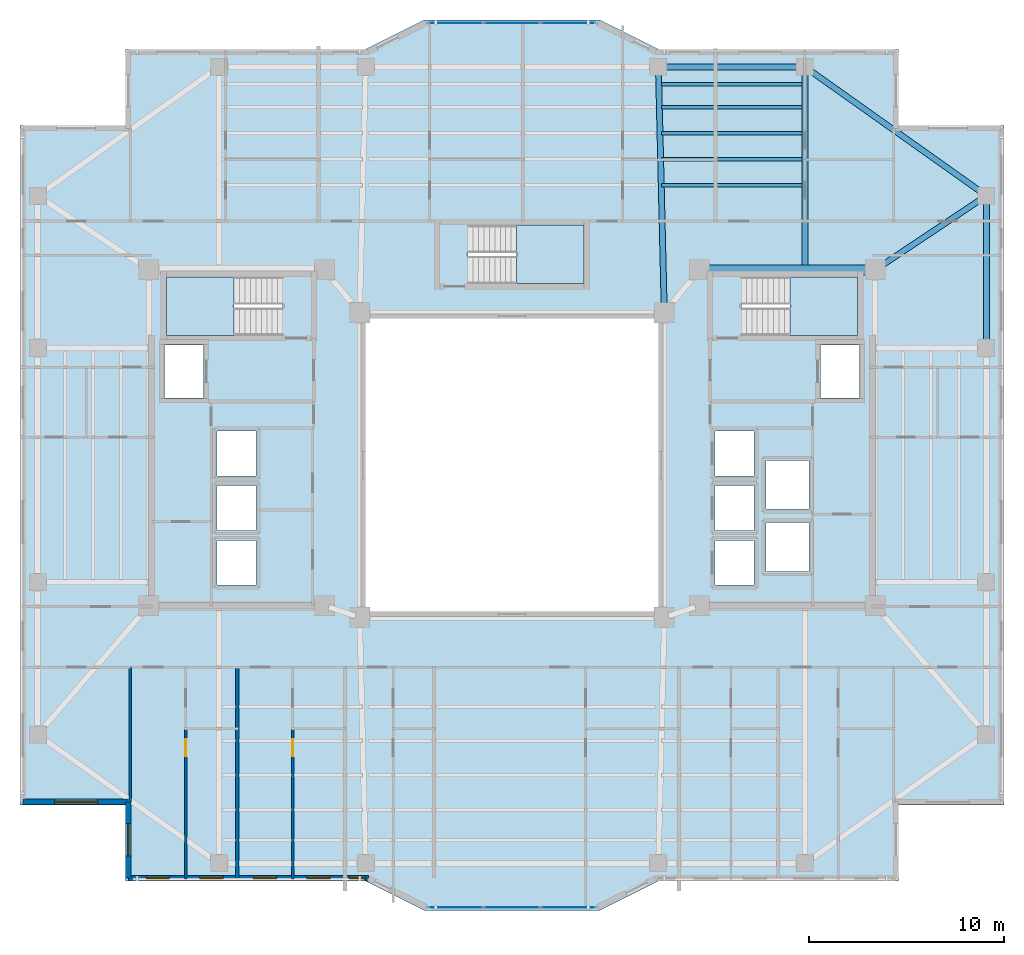
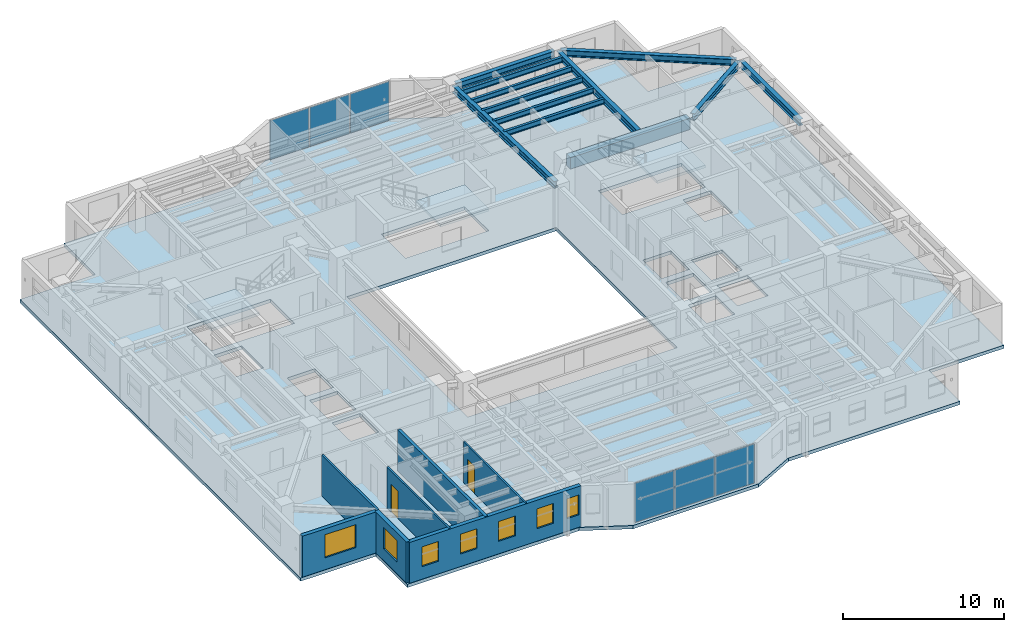
# One storey, part 5 of 16: 12 beams, 7 walls, 7 windows, 6 plates, 4 slabs, 2 doors, 9 openings, 5 elements without a shape of their own.
"""IFC4 building model written with IfcOpenShell, lengths in metres."""

import ifcopenshell
import ifcopenshell.guid

model = None  # the IFC model being written
_history = None  # IfcOwnerHistory: only IFC2X3 demands one
_inside = {}  # id of a spatial element -> (the spatial element, [elements in it])
_under = {}  # id of a project, library or spatial element -> (it, [spatial elements below it])
_declared = {}  # id of a project -> (the project, [libraries it declares])
_typed = {}  # id of a type object -> (the type object, [elements of that type])
_made_of = {}  # id of a material, layer set ... -> (it, [elements and type objects made of it])


def new_model(schema):
    """Start an empty IFC model of exactly this schema.

    Asked for "IFC4X3", IfcOpenShell would pick the latest addendum, in which some entities
    have other attributes; the version numbers below select the first issue.
    IFC2X3 requires an IfcOwnerHistory on every rooted entity: one is made here for all.
    """
    global model, _history
    if schema == "IFC4X3":
        model = ifcopenshell.file(schema_version=(4, 3, 0, 0))
    else:
        model = ifcopenshell.file(schema=schema)
    _inside.clear()
    _under.clear()
    _declared.clear()
    _typed.clear()
    _made_of.clear()
    _history = None
    if model.schema == "IFC2X3":
        org = make("IfcOrganization", Name="unknown")
        user = make(
            "IfcPersonAndOrganization",
            ThePerson=make("IfcPerson", FamilyName="unknown"),
            TheOrganization=org,
        )
        app = make(
            "IfcApplication",
            ApplicationDeveloper=org,
            Version="unknown",
            ApplicationFullName="unknown",
            ApplicationIdentifier="unknown",
        )
        _history = make(
            "IfcOwnerHistory",
            OwningUser=user,
            OwningApplication=app,
            ChangeAction="ADDED",
            CreationDate=0,
        )
    return model


def make(cls, **values):
    """One entity of the class cls with the attributes given. An attribute that is None is left unset."""
    return model.create_entity(
        cls, **{name: value for name, value in values.items() if value is not None}
    )


def rooted(cls, **values):
    """An entity with a GlobalId (a new one), such as an element, a storey or a relation."""
    return make(cls, GlobalId=ifcopenshell.guid.new(), OwnerHistory=_history, **values)


def si_unit(unit_type, name, prefix=None):
    """IfcSIUnit, for example si_unit("LENGTHUNIT", "METRE", prefix="MILLI")."""
    return make("IfcSIUnit", UnitType=unit_type, Prefix=prefix, Name=name)


def assignment(units):
    """IfcUnitAssignment: the units of a project."""
    return None if units is None else make("IfcUnitAssignment", Units=units)


def point(xyz):
    """IfcCartesianPoint."""
    return None if xyz is None else make("IfcCartesianPoint", Coordinates=xyz)


def direction(xyz):
    """IfcDirection."""
    return None if xyz is None else make("IfcDirection", DirectionRatios=xyz)


def frame(location, z_axis=None, x_axis=None):
    """IfcAxis2Placement3D, a coordinate frame: its origin and axes. An axis left out is left unset."""
    return make(
        "IfcAxis2Placement3D",
        Location=point(location),
        Axis=direction(z_axis),
        RefDirection=direction(x_axis),
    )


def frame_2d(location, x_axis=None):
    """IfcAxis2Placement2D, a coordinate frame in the plane: its origin and x axis."""
    return make(
        "IfcAxis2Placement2D", Location=point(location), RefDirection=direction(x_axis)
    )


def origin():
    """The frame at (0, 0, 0) with its axes left unset."""
    return frame((0.0, 0.0, 0.0))


def origin_2d():
    """The frame at (0, 0) in the plane with its x axis left unset."""
    return frame_2d((0.0, 0.0))


def place(relative_to, where):
    """IfcLocalPlacement: puts the frame where relative to a parent placement (None: the world)."""
    return make(
        "IfcLocalPlacement", PlacementRelTo=relative_to, RelativePlacement=where
    )


def context(
    kind, dimensions, precision=None, world=None, true_north=None, identifier=None
):
    """IfcGeometricRepresentationContext, for example the 3D "Model" context."""
    return make(
        "IfcGeometricRepresentationContext",
        ContextIdentifier=identifier,
        ContextType=kind,
        CoordinateSpaceDimension=dimensions,
        Precision=precision,
        WorldCoordinateSystem=world,
        TrueNorth=true_north,
    )


def subcontext(parent, identifier, kind, view, scale=None):
    """IfcGeometricRepresentationSubContext, for example "Body" below "Model"."""
    return make(
        "IfcGeometricRepresentationSubContext",
        ContextIdentifier=identifier,
        ContextType=kind,
        ParentContext=parent,
        TargetScale=scale,
        TargetView=view,
    )


def project(units=None, contexts=None):
    """IfcProject with its units and contexts."""
    return rooted(
        "IfcProject",
        Name="project",
        RepresentationContexts=contexts,
        UnitsInContext=assignment(units),
    )


def spatial(cls, under=None, at=None, **own):
    """A site, building, storey or space (cls), placed at a placement, below another one or the project."""
    s = rooted(cls, ObjectPlacement=at, **own)
    if under is not None:
        _under.setdefault(under.id(), (under, []))[1].append(s)
    return s


def polyline(points):
    """IfcPolyline through the points."""
    return make("IfcPolyline", Points=[point(p) for p in points])


def profile(cls, at=None, kind="AREA", **sizes):
    """A parametric profile (cls). Its sizes go by their IFC names, for example OverallWidth=200.0."""
    return make(cls, ProfileType=kind, Position=at, **sizes)


def rectangle(**sizes):
    """IfcRectangleProfileDef."""
    return profile("IfcRectangleProfileDef", **sizes)


def i_section(**sizes):
    """IfcIShapeProfileDef."""
    return profile("IfcIShapeProfileDef", **sizes)


def outline(outer, holes=None, kind="AREA"):
    """IfcArbitraryClosedProfileDef: a profile drawn as a closed curve; with holes, ...WithVoids."""
    if holes is None:
        return make("IfcArbitraryClosedProfileDef", ProfileType=kind, OuterCurve=outer)
    return make(
        "IfcArbitraryProfileDefWithVoids",
        ProfileType=kind,
        OuterCurve=outer,
        InnerCurves=holes,
    )


def extrude(swept, where, along, depth):
    """IfcExtrudedAreaSolid: the profile swept, set in the frame where, extruded along a direction by depth."""
    return make(
        "IfcExtrudedAreaSolid",
        SweptArea=swept,
        Position=where,
        ExtrudedDirection=direction(along),
        Depth=depth,
    )


def shape(context_of_items, identifier, shape_type, items):
    """IfcShapeRepresentation: the items that make up one representation, for example the "Body"."""
    return make(
        "IfcShapeRepresentation",
        ContextOfItems=context_of_items,
        RepresentationIdentifier=identifier,
        RepresentationType=shape_type,
        Items=items,
    )


def material(Name=None, Category=None):
    """IfcMaterial."""
    return make("IfcMaterial", Name=Name, Category=Category)


def layer(
    of_material, thickness, ventilated=None, Name=None, Category=None, Priority=None
):
    """IfcMaterialLayer: one layer of a wall or slab, of a material (None: an air gap)."""
    return make(
        "IfcMaterialLayer",
        Material=of_material,
        LayerThickness=thickness,
        IsVentilated=ventilated,
        Name=Name,
        Category=Category,
        Priority=Priority,
    )


def layer_set(layers, Name=None):
    """IfcMaterialLayerSet."""
    return make("IfcMaterialLayerSet", MaterialLayers=layers, LayerSetName=Name)


def material_profile(
    of_material, cross_section, Name=None, Category=None, Priority=None
):
    """IfcMaterialProfile: a cross section and its material."""
    return make(
        "IfcMaterialProfile",
        Name=Name,
        Material=of_material,
        Profile=cross_section,
        Priority=Priority,
        Category=Category,
    )


def profile_set(profiles, Name=None, composite=None):
    """IfcMaterialProfileSet."""
    return make(
        "IfcMaterialProfileSet",
        Name=Name,
        MaterialProfiles=profiles,
        CompositeProfile=composite,
    )


def made_of(thing, what):
    """Note that an element or type object is made of a material, layer set ...; save() writes the relation."""
    if what is not None:
        _made_of.setdefault(what.id(), (what, []))[1].append(thing)
    return thing


def type_object(cls, material=None, **own):
    """A type object (cls), such as IfcWallType, which elements share."""
    return made_of(rooted(cls, **own), material)


def element(
    cls,
    number,
    at=None,
    inside=None,
    cuts=None,
    type_object=None,
    material=None,
    context=None,
    identifier="Body",
    shape_type=None,
    held_by="IfcProductDefinitionShape",
    body=None,
    shapes=None,
    **own,
):
    """One element of the class cls, such as IfcWall. Its Tag is "e" and its number.

    at: its placement. inside: the storey or other place that contains it. cuts: it is an
    opening in that element (IfcRelVoidsElement). A single representation is given by context,
    identifier, shape_type and body (its items); several are given by shapes. held_by: the class
    of the entity that holds the representations. save() writes the other relations.
    """
    e = rooted(cls, Tag="e%d" % number, ObjectPlacement=at, **own)
    if body is not None:
        shapes = [shape(context, identifier, shape_type, body)]
    if shapes is not None:
        e.Representation = make(held_by, Representations=shapes)
    if inside is not None:
        _inside.setdefault(inside.id(), (inside, []))[1].append(e)
    if cuts is not None:
        rooted(
            "IfcRelVoidsElement", RelatingBuildingElement=cuts, RelatedOpeningElement=e
        )
    if type_object is not None:
        _typed.setdefault(type_object.id(), (type_object, []))[1].append(e)
    return made_of(e, material)


def fill(opening, filler):
    """IfcRelFillsElement: the door or window that sits in an opening."""
    return rooted(
        "IfcRelFillsElement",
        RelatingOpeningElement=opening,
        RelatedBuildingElement=filler,
    )


def aggregate(whole, parts):
    """IfcRelAggregates: a whole, such as a stair, and the parts it consists of."""
    return rooted("IfcRelAggregates", RelatingObject=whole, RelatedObjects=parts)


def save(model, path):
    """Write the relations noted so far, then the file.

    IfcRelAggregates (storeys below a building ...), IfcRelContainedInSpatialStructure (elements
    in a storey), IfcRelDefinesByType, IfcRelAssociatesMaterial and IfcRelDeclares: one each for
    every whole, place, type object, material and project.
    """
    for whole, parts in _under.values():
        aggregate(whole, parts)
    for where, things in _inside.values():
        rooted(
            "IfcRelContainedInSpatialStructure",
            RelatedElements=things,
            RelatingStructure=where,
        )
    for kind, things in _typed.values():
        rooted("IfcRelDefinesByType", RelatedObjects=things, RelatingType=kind)
    for what, things in _made_of.values():
        rooted("IfcRelAssociatesMaterial", RelatedObjects=things, RelatingMaterial=what)
    for by, libraries in _declared.values():
        rooted("IfcRelDeclares", RelatingContext=by, RelatedDefinitions=libraries)
    model.write(path)


model = new_model("IFC4")

# Units and contexts
model_context = context("Model", 3, precision=1e-05, world=origin(), true_north=direction((0.0, 1.0)))
body_context = subcontext(model_context, "Body", "Model", "MODEL_VIEW")
ifc_project = project(units=[si_unit("LENGTHUNIT", "METRE"), si_unit("AREAUNIT", "SQUARE_METRE"), si_unit("VOLUMEUNIT", "CUBIC_METRE"), si_unit("PLANEANGLEUNIT", "RADIAN"), si_unit("MASSUNIT", "GRAM", prefix="KILO")], contexts=[model_context])

# Site, building, storey
site_placement = place(None, origin())
site = spatial("IfcSite", under=ifc_project, at=site_placement, CompositionType="ELEMENT")
building_placement = place(site_placement, origin())
building = spatial("IfcBuilding", under=site, at=building_placement, Name="Tarnavaz Court Tower", CompositionType="ELEMENT")
storey_placement = place(building_placement, frame((0.0, 0.0, 166.10009765625)))
storey = spatial("IfcBuildingStorey", under=building, at=storey_placement, Name="L45", CompositionType="ELEMENT", Elevation=166.10009765625)

# Beams
ifc_material_1 = material(Name="Concrete C50/60", Category="concrete")
ifc_material_profile_1 = material_profile(ifc_material_1, rectangle(XDim=0.5, YDim=0.85009765625, at=origin_2d()), Name="RC 500X850")
ifc_profile_set_1 = profile_set([ifc_material_profile_1], Name="Concrete C50/60")
beam_type_1 = type_object("IfcBeamType", Name="BM-CB850", PredefinedType="LINTEL", material=ifc_profile_set_1)
beam_1_placement = place(storey_placement, frame((18.3798828125, 10.0, 2.6748046875), z_axis=(-1.0, 0.0, 0.0), x_axis=(0.0, -1.0, 0.0)))
element("IfcBeam", 1, at=beam_1_placement, inside=storey, type_object=beam_type_1, Name="L45 Beam IN-CE-NO-CE-NI", PredefinedType="LINTEL", context=body_context, shape_type="SweptSolid", body=[
    extrude(rectangle(XDim=0.5, YDim=0.85009765625, at=origin_2d()), origin(), (0.0, 0.0, 1.0), 8.559814453125),
])
ifc_material_2 = material(Name="Steel S355", Category="steel")
ifc_material_profile_2 = material_profile(ifc_material_2, i_section(OverallWidth=0.300048828125, OverallDepth=0.5, WebThickness=0.014404296875, FlangeThickness=0.028076171875, FilletRadius=0.027099609375, at=origin_2d()), Name="HEB 500")
ifc_profile_set_2 = profile_set([ifc_material_profile_2], Name="Steel S355")
beam_type_2 = type_object("IfcBeamType", Name="BM-G-HEB500", PredefinedType="USERDEFINED", material=ifc_profile_set_2)
beam_2_placement = place(storey_placement, frame((7.794921875, 8.02001953125, 2.849853515625), z_axis=(-0.023824748444, 0.999716150395, 0.0), x_axis=(-0.999716150395, -0.023824748444, 0.0)))
element("IfcBeam", 2, at=beam_2_placement, inside=storey, type_object=beam_type_2, Name="L45 Beam RG-03", ObjectType="GIRDER", PredefinedType="USERDEFINED", context=body_context, shape_type="SweptSolid", body=[
    extrude(i_section(OverallWidth=0.300048828125, OverallDepth=0.5, WebThickness=0.014404296875, FlangeThickness=0.028076171875, FilletRadius=0.027099609375, at=origin_2d()), origin(), (0.0, 0.0, 1.0), 12.16357421875),
])
beam_3_placement = place(storey_placement, frame((15.0, 10.0400390625, 2.849853515625), z_axis=(0.0, 1.0, 0.0), x_axis=(-1.0, 0.0, 0.0)))
element("IfcBeam", 3, at=beam_3_placement, inside=storey, type_object=beam_type_2, Name="L45 Beam RG-04", ObjectType="GIRDER", PredefinedType="USERDEFINED", context=body_context, shape_type="SweptSolid", body=[
    extrude(i_section(OverallWidth=0.300048828125, OverallDepth=0.5, WebThickness=0.014404296875, FlangeThickness=0.028076171875, FilletRadius=0.027099609375, at=origin_2d()), origin(), (0.0, 0.0, 1.0), 10.139892578125),
])
beam_4_placement = place(storey_placement, frame((18.783203125, 10.1220703125, 2.849853515625), z_axis=(0.832044435051, 0.554708985056, 0.0), x_axis=(-0.554708985056, 0.832044435051, 0.0)))
element("IfcBeam", 4, at=beam_4_placement, inside=storey, type_object=beam_type_2, Name="L45 Beam RG-12", ObjectType="GIRDER", PredefinedType="USERDEFINED", context=body_context, shape_type="SweptSolid", body=[
    extrude(i_section(OverallWidth=0.300048828125, OverallDepth=0.5, WebThickness=0.014404296875, FlangeThickness=0.028076171875, FilletRadius=0.027099609375, at=origin_2d()), origin(), (0.0, 0.0, 1.0), 6.410400390625),
])
ifc_material_profile_3 = material_profile(ifc_material_2, i_section(OverallWidth=0.179931640625, OverallDepth=0.39990234375, WebThickness=0.008544921875, FlangeThickness=0.013427734375, FilletRadius=0.02099609375, at=origin_2d()), Name="IPE 400")
ifc_profile_set_3 = profile_set([ifc_material_profile_3], Name="Steel S355")
beam_type_3 = type_object("IfcBeamType", Name="BM-J-IPE400", PredefinedType="JOIST", material=ifc_profile_set_3)
for number, where, z_axis, x_axis, name in (
    (5, (7.64990234375, 14.33203125, 2.89990234375), (1.0, 0.0, 0.0), (0.0, 1.0, 0.0), "L45 Beam JN1-3"),
    (6, (7.64990234375, 15.6640625, 2.89990234375), (1.0, 0.0, 0.0), (0.0, 1.0, 0.0), "L45 Beam JN2-3"),
    (7, (7.64990234375, 16.99609375, 2.89990234375), (1.0, 0.0, 0.0), (0.0, 1.0, 0.0), "L45 Beam JN3-3"),
    (8, (7.64990234375, 18.327880859375, 2.89990234375), (1.0, 0.0, 0.0), (0.0, 1.0, 0.0), "L45 Beam JN4-3"),
    (9, (7.64990234375, 19.511962890625, 2.89990234375), (1.0, 0.0, 0.0), (0.0, 1.0, 0.0), "L45 Beam JN5-3"),
):
    element("IfcBeam", number, at=place(storey_placement, frame(where, z_axis=z_axis, x_axis=x_axis)), inside=storey, type_object=beam_type_3, Name=name, PredefinedType="JOIST", context=body_context, shape_type="SweptSolid", body=[
        extrude(i_section(OverallWidth=0.179931640625, OverallDepth=0.39990234375, WebThickness=0.008544921875, FlangeThickness=0.013427734375, FilletRadius=0.02099609375, at=origin_2d()), origin(), (0.0, 0.0, 1.0), 7.2001953125),
    ])
ifc_material_profile_4 = material_profile(ifc_material_2, i_section(OverallWidth=0.300048828125, OverallDepth=0.489990234375, WebThickness=0.011962890625, FlangeThickness=0.02294921875, FilletRadius=0.027099609375, at=origin_2d()), Name="HEA 500")
ifc_profile_set_4 = profile_set([ifc_material_profile_4], Name="Steel S355")
beam_type_4 = type_object("IfcBeamType", Name="BM-SP-HEA500", PredefinedType="SPANDREL", material=ifc_profile_set_4)
beam_5_placement = place(storey_placement, frame((7.719970703125, 20.39990234375, 2.85498046875), z_axis=(1.0, 0.0, 0.0), x_axis=(0.0, 1.0, 0.0)))
element("IfcBeam", 10, at=beam_5_placement, inside=storey, type_object=beam_type_4, Name="L45 Beam PR-PN-3-PN-4", PredefinedType="SPANDREL", context=body_context, shape_type="SweptSolid", body=[
    extrude(i_section(OverallWidth=0.300048828125, OverallDepth=0.489990234375, WebThickness=0.011962890625, FlangeThickness=0.02294921875, FilletRadius=0.027099609375, at=origin_2d()), origin(), (0.0, 0.0, 1.0), 7.06005859375),
])
beam_6_placement = place(storey_placement, frame((24.300048828125, 6.219970703125, 2.85498046875), z_axis=(0.0, 1.0, 0.0), x_axis=(-1.0, 0.0, 0.0)))
element("IfcBeam", 11, at=beam_6_placement, inside=storey, type_object=beam_type_4, Name="L45 Beam PR-PE-3-PE-4", PredefinedType="SPANDREL", context=body_context, shape_type="SweptSolid", body=[
    extrude(i_section(OverallWidth=0.300048828125, OverallDepth=0.489990234375, WebThickness=0.011962890625, FlangeThickness=0.02294921875, FilletRadius=0.027099609375, at=origin_2d()), origin(), (0.0, 0.0, 1.0), 7.360107421875),
])
beam_7_placement = place(storey_placement, frame((15.179443359375, 20.272705078125, 2.85498046875), z_axis=(0.815502059396, -0.57875417158, 0.0), x_axis=(0.57875417158, 0.815502059396, 0.0)))
element("IfcBeam", 12, at=beam_7_placement, inside=storey, type_object=beam_type_4, Name="L45 Beam PR-PN-4-PE-4", PredefinedType="SPANDREL", context=body_context, shape_type="SweptSolid", body=[
    extrude(i_section(OverallWidth=0.300048828125, OverallDepth=0.489990234375, WebThickness=0.011962890625, FlangeThickness=0.02294921875, FilletRadius=0.027099609375, at=origin_2d()), origin(), (0.0, 0.0, 1.0), 10.964111328125),
])

# Curtain wall, plates
ifc_material_3 = material(Name="Anodised Aluminium 6063-T6 and Solar Low-E Glazing", Category="aluminium")
ifc_layer_1 = layer(ifc_material_3, 0.159912109375)
ifc_layer_set_1 = layer_set([ifc_layer_1], Name="Anodised Aluminium 6063-T6 and Solar Low-E Glazing")
curtain_wall_type = type_object("IfcCurtainWallType", Name="CW-SYS-03", PredefinedType="NOTDEFINED", material=ifc_layer_set_1)
curtain_wall_1_placement = place(storey_placement, origin())
curtain_wall_1 = element("IfcCurtainWall", 13, at=curtain_wall_1_placement, inside=storey, type_object=curtain_wall_type, Name="L45 Iwan Prow Curtain Wall 7", PredefinedType="NOTDEFINED")
ifc_material_4 = material(Name="Double-Glazed Solar Low-E Glass", Category="glass")
ifc_layer_2 = layer(ifc_material_4, 0.028076171875)
ifc_layer_set_2 = layer_set([ifc_layer_2], Name="Double-Glazed Solar Low-E Glass")
plate_type = type_object("IfcPlateType", Name="CW-PAN-GLZ28", PredefinedType="CURTAIN_PANEL", material=ifc_layer_set_2)
plate_1_placement = place(storey_placement, frame((-2.88134765625, 22.64990234375, 0.06494140625), z_axis=(0.0, 0.0, 1.0), x_axis=(1.0, 0.0, 0.0)))
plate_1 = element("IfcPlate", 14, at=plate_1_placement, type_object=plate_type, Name="CW panel 1.1", PredefinedType="CURTAIN_PANEL", context=body_context, shape_type="SweptSolid", body=[
    extrude(rectangle(XDim=2.78759765625, YDim=0.028076171875, at=origin_2d()), origin(), (0.0, 0.0, 1.0), 2.969970703125),
])
plate_2_placement = place(storey_placement, frame((0.0, 22.64990234375, 0.06494140625), z_axis=(0.0, 0.0, 1.0), x_axis=(1.0, 0.0, 0.0)))
plate_2 = element("IfcPlate", 15, at=plate_2_placement, type_object=plate_type, Name="CW panel 2.1", PredefinedType="CURTAIN_PANEL", context=body_context, shape_type="SweptSolid", body=[
    extrude(rectangle(XDim=2.824951171875, YDim=0.028076171875, at=origin_2d()), origin(), (0.0, 0.0, 1.0), 2.969970703125),
])
plate_3_placement = place(storey_placement, frame((2.88134765625, 22.64990234375, 0.06494140625), z_axis=(0.0, 0.0, 1.0), x_axis=(1.0, 0.0, 0.0)))
plate_3 = element("IfcPlate", 16, at=plate_3_placement, type_object=plate_type, Name="CW panel 3.1", PredefinedType="CURTAIN_PANEL", context=body_context, shape_type="SweptSolid", body=[
    extrude(rectangle(XDim=2.78759765625, YDim=0.028076171875, at=origin_2d()), origin(), (0.0, 0.0, 1.0), 2.969970703125),
])
aggregate(curtain_wall_1, [plate_1, plate_2, plate_3])

curtain_wall_2_placement = place(storey_placement, origin())
curtain_wall_2 = element("IfcCurtainWall", 17, at=curtain_wall_2_placement, inside=storey, type_object=curtain_wall_type, Name="L45 Iwan Prow Curtain Wall 17", PredefinedType="NOTDEFINED")
plate_4_placement = place(storey_placement, frame((2.88134765625, -22.64990234375, 0.06494140625), z_axis=(0.0, 0.0, 1.0), x_axis=(-1.0, 0.0, 0.0)))
plate_4 = element("IfcPlate", 18, at=plate_4_placement, type_object=plate_type, Name="CW panel 1.1", PredefinedType="CURTAIN_PANEL", context=body_context, shape_type="SweptSolid", body=[
    extrude(rectangle(XDim=2.78759765625, YDim=0.028076171875, at=origin_2d()), origin(), (0.0, 0.0, 1.0), 2.969970703125),
])
plate_5_placement = place(storey_placement, frame((0.0, -22.64990234375, 0.06494140625), z_axis=(0.0, 0.0, 1.0), x_axis=(-1.0, 0.0, 0.0)))
plate_5 = element("IfcPlate", 19, at=plate_5_placement, type_object=plate_type, Name="CW panel 2.1", PredefinedType="CURTAIN_PANEL", context=body_context, shape_type="SweptSolid", body=[
    extrude(rectangle(XDim=2.824951171875, YDim=0.028076171875, at=origin_2d()), origin(), (0.0, 0.0, 1.0), 2.969970703125),
])
plate_6_placement = place(storey_placement, frame((-2.88134765625, -22.64990234375, 0.06494140625), z_axis=(0.0, 0.0, 1.0), x_axis=(-1.0, 0.0, 0.0)))
plate_6 = element("IfcPlate", 20, at=plate_6_placement, type_object=plate_type, Name="CW panel 3.1", PredefinedType="CURTAIN_PANEL", context=body_context, shape_type="SweptSolid", body=[
    extrude(rectangle(XDim=2.78759765625, YDim=0.028076171875, at=origin_2d()), origin(), (0.0, 0.0, 1.0), 2.969970703125),
])
aggregate(curtain_wall_2, [plate_4, plate_5, plate_6])

# Stair, slab
ifc_material_5 = material(Name="Concrete C40/50", Category="concrete")
stair_type = type_object("IfcStairType", Name="ST-TWR-20R", PredefinedType="HALF_TURN_STAIR", material=ifc_material_5)
stair_1_placement = place(storey_placement, origin())
stair_1 = element("IfcStair", 21, at=stair_1_placement, inside=storey, type_object=stair_type, Name="L45 West Core Pressurized Exit Stair ST-W1", PredefinedType="HALF_TURN_STAIR")
ifc_layer_3 = layer(ifc_material_5, 0.199951171875)
ifc_layer_set_3 = layer_set([ifc_layer_3], Name="Concrete C40/50")
slab_type_1 = type_object("IfcSlabType", Name="SL-LAND-200", PredefinedType="LANDING", material=ifc_layer_set_3)
slab_1_placement = place(storey_placement, frame((0.0, 0.0, 1.474853515625)))
slab_1 = element("IfcSlab", 22, at=slab_1_placement, type_object=slab_type_1, Name="ST-W1 landing 1", PredefinedType="LANDING", context=body_context, shape_type="SweptSolid", body=[
    extrude(outline(polyline([(-14.239990234375, 9.639892578125), (-17.699951171875, 9.639892578125), (-17.699951171875, 6.64990234375), (-14.239990234375, 6.64990234375), (-14.239990234375, 9.639892578125)])), origin(), (0.0, 0.0, 1.0), 0.199951171875),
])
aggregate(stair_1, [slab_1])

stair_2_placement = place(storey_placement, origin())
stair_2 = element("IfcStair", 23, at=stair_2_placement, inside=storey, type_object=stair_type, Name="L45 East Core Pressurized Exit Stair ST-E1", PredefinedType="HALF_TURN_STAIR")
slab_2_placement = place(storey_placement, frame((0.0, 0.0, 1.474853515625)))
slab_2 = element("IfcSlab", 24, at=slab_2_placement, type_object=slab_type_1, Name="ST-E1 landing 1", PredefinedType="LANDING", context=body_context, shape_type="SweptSolid", body=[
    extrude(outline(polyline([(14.239990234375, 6.64990234375), (17.699951171875, 6.64990234375), (17.699951171875, 9.639892578125), (14.239990234375, 9.639892578125), (14.239990234375, 6.64990234375)])), origin(), (0.0, 0.0, 1.0), 0.199951171875),
])
aggregate(stair_2, [slab_2])

stair_3_placement = place(storey_placement, origin())
stair_3 = element("IfcStair", 25, at=stair_3_placement, inside=storey, type_object=stair_type, Name="L45 North Ring Pressurized Exit Stair ST-N1", PredefinedType="HALF_TURN_STAIR")
slab_3_placement = place(storey_placement, frame((0.0, 0.0, 1.474853515625)))
slab_3 = element("IfcSlab", 26, at=slab_3_placement, type_object=slab_type_1, Name="ST-N1 landing 1", PredefinedType="LANDING", context=body_context, shape_type="SweptSolid", body=[
    extrude(outline(polyline([(0.239990234375, 9.300048828125), (3.699951171875, 9.300048828125), (3.699951171875, 12.2900390625), (0.239990234375, 12.2900390625), (0.239990234375, 9.300048828125)])), origin(), (0.0, 0.0, 1.0), 0.199951171875),
])
aggregate(stair_3, [slab_3])

# Slab
ifc_layer_4 = layer(ifc_material_5, 0.25)
ifc_layer_set_4 = layer_set([ifc_layer_4], Name="Concrete C40/50")
slab_type_2 = type_object("IfcSlabType", Name="SL-RES-250", PredefinedType="FLOOR", material=ifc_layer_set_4)
slab_4_placement = place(storey_placement, frame((0.0, 0.0, -0.25)))
element("IfcSlab", 27, at=slab_4_placement, inside=storey, type_object=slab_type_2, Name="L45 Structural Floor Slab", PredefinedType="FLOOR", context=body_context, shape_type="SweptSolid", body=[
    extrude(outline(polyline([(-19.800048828125, -21.300048828125), (-7.5, -21.300048828125), (-4.5, -22.800048828125), (4.5, -22.800048828125), (7.5, -21.300048828125), (19.800048828125, -21.300048828125), (19.800048828125, -17.39990234375), (25.199951171875, -17.39990234375), (25.199951171875, 17.39990234375), (19.800048828125, 17.39990234375), (19.800048828125, 21.300048828125), (7.5, 21.300048828125), (4.5, 22.800048828125), (-4.5, 22.800048828125), (-7.5, 21.300048828125), (-19.800048828125, 21.300048828125), (-19.800048828125, 17.39990234375), (-25.199951171875, 17.39990234375), (-25.199951171875, -17.39990234375), (-19.800048828125, -17.39990234375), (-19.800048828125, -21.300048828125)]), holes=[polyline([(-7.5, -7.5), (7.5, -7.5), (7.5, 7.5), (-7.5, 7.5), (-7.5, -7.5)]), polyline([(-11.7451171875, 9.639892578125), (-17.699951171875, 9.639892578125), (-17.699951171875, 6.64990234375), (-11.7451171875, 6.64990234375), (-11.7451171875, 9.639892578125)]), polyline([(11.7451171875, 6.64990234375), (17.699951171875, 6.64990234375), (17.699951171875, 9.639892578125), (11.7451171875, 9.639892578125), (11.7451171875, 6.64990234375)]), polyline([(-2.2548828125, 9.300048828125), (3.699951171875, 9.300048828125), (3.699951171875, 12.2900390625), (-2.2548828125, 12.2900390625), (-2.2548828125, 9.300048828125)]), polyline([(-17.800048828125, 3.449951171875), (-15.800048828125, 3.449951171875), (-15.800048828125, 6.14990234375), (-17.800048828125, 6.14990234375), (-17.800048828125, 3.449951171875)]), polyline([(-15.10009765625, -6.14990234375), (-13.10009765625, -6.14990234375), (-13.10009765625, -3.85009765625), (-15.10009765625, -3.85009765625), (-15.10009765625, -6.14990234375)]), polyline([(-15.10009765625, -3.35009765625), (-13.10009765625, -3.35009765625), (-13.10009765625, -1.050048828125), (-15.10009765625, -1.050048828125), (-15.10009765625, -3.35009765625)]), polyline([(-15.10009765625, -0.550048828125), (-13.10009765625, -0.550048828125), (-13.10009765625, 1.75), (-15.10009765625, 1.75), (-15.10009765625, -0.550048828125)]), polyline([(15.800048828125, 3.449951171875), (17.800048828125, 3.449951171875), (17.800048828125, 6.14990234375), (15.800048828125, 6.14990234375), (15.800048828125, 3.449951171875)]), polyline([(10.39990234375, -6.14990234375), (12.39990234375, -6.14990234375), (12.39990234375, -3.85009765625), (10.39990234375, -3.85009765625), (10.39990234375, -6.14990234375)]), polyline([(10.39990234375, -3.35009765625), (12.39990234375, -3.35009765625), (12.39990234375, -1.050048828125), (10.39990234375, -1.050048828125), (10.39990234375, -3.35009765625)]), polyline([(10.39990234375, -0.550048828125), (12.39990234375, -0.550048828125), (12.39990234375, 1.75), (10.39990234375, 1.75), (10.39990234375, -0.550048828125)]), polyline([(13.0, -5.449951171875), (15.199951171875, -5.449951171875), (15.199951171875, -2.949951171875), (13.0, -2.949951171875), (13.0, -5.449951171875)]), polyline([(13.0, -2.25), (15.199951171875, -2.25), (15.199951171875, 0.25), (13.0, 0.25), (13.0, -2.25)])]), origin(), (0.0, 0.0, 1.0), 0.25),
])

# Wall, opening, window
ifc_material_6 = material(Name="Precast Concrete C40/50", Category="concrete")
ifc_layer_5 = layer(ifc_material_6, 0.280029296875)
ifc_layer_set_5 = layer_set([ifc_layer_5], Name="Precast Concrete C40/50")
wall_type_1 = type_object("IfcWallType", Name="WL-EXT-280", PredefinedType="SOLIDWALL", material=ifc_layer_set_5)
wall_1_placement = place(storey_placement, frame((-19.64990234375, -17.25, 0.0), z_axis=(0.0, 0.0, 1.0), x_axis=(-1.0, 0.0, 0.0)))
wall_1 = element("IfcWall", 28, at=wall_1_placement, inside=storey, type_object=wall_type_1, Name="L45 Exterior Terracotta Facade Wall 01", PredefinedType="SOLIDWALL", context=body_context, shape_type="SweptSolid", body=[
    extrude(rectangle(XDim=5.400146484375, YDim=0.280029296875, at=frame_2d((2.7001953125, 0.0))), origin(), (0.0, 0.0, 1.0), 3.099853515625),
])
opening_1_placement = place(wall_1_placement, frame((1.574951171875, 0.0, 0.89990234375)))
opening_1 = element("IfcOpeningElement", 29, at=opening_1_placement, cuts=wall_1, Name="Opening W07", PredefinedType="OPENING", context=body_context, shape_type="SweptSolid", body=[
    extrude(rectangle(XDim=2.199951171875, YDim=1.75, at=frame_2d((1.10009765625, 0.875))), frame((0.0, 0.14990234375, 0.0), z_axis=(0.0, -1.0, 0.0), x_axis=(1.0, 0.0, 0.0)), (0.0, 0.0, 1.0), 0.300048828125),
])
window_type_1 = type_object("IfcWindowType", Name="WN-APT-2200", PartitioningType="TRIPLE_PANEL_VERTICAL", PredefinedType="WINDOW", material=ifc_material_4)
window_1_placement = place(opening_1_placement, origin())
window_1 = element("IfcWindow", 30, at=window_1_placement, inside=storey, type_object=window_type_1, Name="L45 South-West Corner Reading Room Window", OverallHeight=1.75, OverallWidth=2.199951171875, PartitioningType="SINGLE_PANEL", PredefinedType="WINDOW", context=body_context, shape_type="SweptSolid", body=[
    extrude(rectangle(XDim=2.199951171875, YDim=1.75, at=frame_2d((1.10009765625, 0.875))), frame((0.0, 0.030029296875, 0.0), z_axis=(0.0, -1.0, 0.0), x_axis=(1.0, 0.0, 0.0)), (0.0, 0.0, 1.0), 0.06005859375),
])
fill(opening_1, window_1)

# Wall, openings, windows
wall_2_placement = place(storey_placement, frame((-7.35009765625, -21.14990234375, 0.0), z_axis=(0.0, 0.0, 1.0), x_axis=(-1.0, 0.0, 0.0)))
wall_2 = element("IfcWall", 31, at=wall_2_placement, inside=storey, type_object=wall_type_1, Name="L45 Exterior Terracotta Facade Wall 19", PredefinedType="SOLIDWALL", context=body_context, shape_type="SweptSolid", body=[
    extrude(rectangle(XDim=12.2998046875, YDim=0.280029296875, at=frame_2d((6.14990234375, 0.0))), origin(), (0.0, 0.0, 1.0), 3.099853515625),
])
opening_2_placement = place(wall_2_placement, frame((0.147216796875, 0.0, 0.949951171875)))
opening_2 = element("IfcOpeningElement", 32, at=opening_2_placement, cuts=wall_2, Name="Opening W15", PredefinedType="OPENING", context=body_context, shape_type="SweptSolid", body=[
    extrude(rectangle(XDim=0.85009765625, YDim=1.5, at=frame_2d((0.425048828125, 0.75))), frame((0.0, 0.14990234375, 0.0), z_axis=(0.0, -1.0, 0.0), x_axis=(1.0, 0.0, 0.0)), (0.0, 0.0, 1.0), 0.300048828125),
])
opening_3_placement = place(wall_2_placement, frame((1.96044921875, 0.0, 0.949951171875)))
opening_3 = element("IfcOpeningElement", 33, at=opening_3_placement, cuts=wall_2, Name="Opening W05", PredefinedType="OPENING", context=body_context, shape_type="SweptSolid", body=[
    extrude(rectangle(XDim=1.199951171875, YDim=1.5, at=frame_2d((0.60009765625, 0.75))), frame((0.0, 0.14990234375, 0.0), z_axis=(0.0, -1.0, 0.0), x_axis=(1.0, 0.0, 0.0)), (0.0, 0.0, 1.0), 0.300048828125),
])
opening_4_placement = place(wall_2_placement, frame((4.696533203125, 0.0, 0.949951171875)))
opening_4 = element("IfcOpeningElement", 34, at=opening_4_placement, cuts=wall_2, Name="Opening W05", PredefinedType="OPENING", context=body_context, shape_type="SweptSolid", body=[
    extrude(rectangle(XDim=1.199951171875, YDim=1.5, at=frame_2d((0.60009765625, 0.75))), frame((0.0, 0.14990234375, 0.0), z_axis=(0.0, -1.0, 0.0), x_axis=(1.0, 0.0, 0.0)), (0.0, 0.0, 1.0), 0.300048828125),
])
opening_5_placement = place(wall_2_placement, frame((7.4326171875, 0.0, 0.949951171875)))
opening_5 = element("IfcOpeningElement", 35, at=opening_5_placement, cuts=wall_2, Name="Opening W05", PredefinedType="OPENING", context=body_context, shape_type="SweptSolid", body=[
    extrude(rectangle(XDim=1.199951171875, YDim=1.5, at=frame_2d((0.60009765625, 0.75))), frame((0.0, 0.14990234375, 0.0), z_axis=(0.0, -1.0, 0.0), x_axis=(1.0, 0.0, 0.0)), (0.0, 0.0, 1.0), 0.300048828125),
])
opening_6_placement = place(wall_2_placement, frame((10.19384765625, 0.0, 0.949951171875)))
opening_6 = element("IfcOpeningElement", 36, at=opening_6_placement, cuts=wall_2, Name="Opening W05", PredefinedType="OPENING", context=body_context, shape_type="SweptSolid", body=[
    extrude(rectangle(XDim=1.199951171875, YDim=1.5, at=frame_2d((0.60009765625, 0.75))), frame((0.0, 0.14990234375, 0.0), z_axis=(0.0, -1.0, 0.0), x_axis=(1.0, 0.0, 0.0)), (0.0, 0.0, 1.0), 0.300048828125),
])
window_type_2 = type_object("IfcWindowType", Name="WN-APT-1200", PartitioningType="SINGLE_PANEL", PredefinedType="WINDOW", material=ifc_material_4)
window_2_placement = place(opening_3_placement, origin())
window_2 = element("IfcWindow", 37, at=window_2_placement, inside=storey, type_object=window_type_2, Name="L45 Flat 06 Kitchen Window", OverallHeight=1.5, OverallWidth=1.199951171875, PartitioningType="SINGLE_PANEL", PredefinedType="WINDOW", context=body_context, shape_type="SweptSolid", body=[
    extrude(rectangle(XDim=1.199951171875, YDim=1.5, at=frame_2d((0.60009765625, 0.75))), frame((0.0, 0.030029296875, 0.0), z_axis=(0.0, -1.0, 0.0), x_axis=(1.0, 0.0, 0.0)), (0.0, 0.0, 1.0), 0.06005859375),
])
fill(opening_3, window_2)
window_3_placement = place(opening_4_placement, origin())
window_3 = element("IfcWindow", 38, at=window_3_placement, inside=storey, type_object=window_type_2, Name="L45 Flat 06 Studio Living and Sleeping Room Window", OverallHeight=1.5, OverallWidth=1.199951171875, PartitioningType="SINGLE_PANEL", PredefinedType="WINDOW", context=body_context, shape_type="SweptSolid", body=[
    extrude(rectangle(XDim=1.199951171875, YDim=1.5, at=frame_2d((0.60009765625, 0.75))), frame((0.0, 0.030029296875, 0.0), z_axis=(0.0, -1.0, 0.0), x_axis=(1.0, 0.0, 0.0)), (0.0, 0.0, 1.0), 0.06005859375),
])
fill(opening_4, window_3)
window_4_placement = place(opening_5_placement, origin())
window_4 = element("IfcWindow", 39, at=window_4_placement, inside=storey, type_object=window_type_2, Name="L45 Flat 05 Kitchen Window", OverallHeight=1.5, OverallWidth=1.199951171875, PartitioningType="SINGLE_PANEL", PredefinedType="WINDOW", context=body_context, shape_type="SweptSolid", body=[
    extrude(rectangle(XDim=1.199951171875, YDim=1.5, at=frame_2d((0.60009765625, 0.75))), frame((0.0, 0.030029296875, 0.0), z_axis=(0.0, -1.0, 0.0), x_axis=(1.0, 0.0, 0.0)), (0.0, 0.0, 1.0), 0.06005859375),
])
fill(opening_5, window_4)
window_5_placement = place(opening_6_placement, origin())
window_5 = element("IfcWindow", 40, at=window_5_placement, inside=storey, type_object=window_type_2, Name="L45 Flat 05 Studio Living and Sleeping Room Window", OverallHeight=1.5, OverallWidth=1.199951171875, PartitioningType="SINGLE_PANEL", PredefinedType="WINDOW", context=body_context, shape_type="SweptSolid", body=[
    extrude(rectangle(XDim=1.199951171875, YDim=1.5, at=frame_2d((0.60009765625, 0.75))), frame((0.0, 0.030029296875, 0.0), z_axis=(0.0, -1.0, 0.0), x_axis=(1.0, 0.0, 0.0)), (0.0, 0.0, 1.0), 0.06005859375),
])
fill(opening_6, window_5)
window_type_3 = type_object("IfcWindowType", Name="WN-APT-850", PartitioningType="SINGLE_PANEL", PredefinedType="WINDOW", material=ifc_material_4)
window_6_placement = place(opening_2_placement, origin())
window_6 = element("IfcWindow", 41, at=window_6_placement, inside=storey, type_object=window_type_3, Name="L45 Flat 09 Studio Living and Sleeping Room Window", OverallHeight=1.5, OverallWidth=0.85009765625, PartitioningType="SINGLE_PANEL", PredefinedType="WINDOW", context=body_context, shape_type="SweptSolid", body=[
    extrude(rectangle(XDim=0.85009765625, YDim=1.5, at=frame_2d((0.425048828125, 0.75))), frame((0.0, 0.030029296875, 0.0), z_axis=(0.0, -1.0, 0.0), x_axis=(1.0, 0.0, 0.0)), (0.0, 0.0, 1.0), 0.06005859375),
])
fill(opening_2, window_6)

# Wall, opening, window
wall_3_placement = place(storey_placement, frame((-19.64990234375, -21.14990234375, 0.0), z_axis=(0.0, 0.0, 1.0), x_axis=(0.0, 1.0, 0.0)))
wall_3 = element("IfcWall", 42, at=wall_3_placement, inside=storey, type_object=wall_type_1, Name="L45 Exterior Terracotta Facade Wall 20", PredefinedType="SOLIDWALL", context=body_context, shape_type="SweptSolid", body=[
    extrude(rectangle(XDim=3.89990234375, YDim=0.280029296875, at=frame_2d((1.949951171875, 0.0))), origin(), (0.0, 0.0, 1.0), 3.099853515625),
])
opening_7_placement = place(wall_3_placement, frame((1.142822265625, 0.0, 0.89990234375)))
opening_7 = element("IfcOpeningElement", 43, at=opening_7_placement, cuts=wall_3, Name="Opening W02", PredefinedType="OPENING", context=body_context, shape_type="SweptSolid", body=[
    extrude(rectangle(XDim=1.64990234375, YDim=1.60009765625, at=frame_2d((0.824951171875, 0.800048828125))), frame((0.0, 0.14990234375, 0.0), z_axis=(0.0, -1.0, 0.0), x_axis=(1.0, 0.0, 0.0)), (0.0, 0.0, 1.0), 0.300048828125),
])
window_type_4 = type_object("IfcWindowType", Name="WN-APT-1650", PartitioningType="DOUBLE_PANEL_VERTICAL", PredefinedType="WINDOW", material=ifc_material_4)
window_7_placement = place(opening_7_placement, origin())
window_7 = element("IfcWindow", 44, at=window_7_placement, inside=storey, type_object=window_type_4, Name="L45 Flat 05 Studio Living and Sleeping Room Window", OverallHeight=1.60009765625, OverallWidth=1.64990234375, PartitioningType="SINGLE_PANEL", PredefinedType="WINDOW", context=body_context, shape_type="SweptSolid", body=[
    extrude(rectangle(XDim=1.64990234375, YDim=1.60009765625, at=frame_2d((0.824951171875, 0.800048828125))), frame((0.0, 0.030029296875, 0.0), z_axis=(0.0, -1.0, 0.0), x_axis=(1.0, 0.0, 0.0)), (0.0, 0.0, 1.0), 0.06005859375),
])
fill(opening_7, window_7)

# Wall
ifc_material_7 = material(Name="Autoclaved Aerated Concrete Blockwork", Category="masonry")
ifc_layer_6 = layer(ifc_material_7, 0.199951171875)
ifc_layer_set_6 = layer_set([ifc_layer_6], Name="Autoclaved Aerated Concrete Blockwork")
wall_type_2 = type_object("IfcWallType", Name="WL-FIRE-200", PredefinedType="SOLIDWALL", material=ifc_layer_set_6)
wall_4_placement = place(storey_placement, frame((-14.074951171875, -21.199951171875, 0.0), z_axis=(0.0, 0.0, 1.0), x_axis=(0.0, 1.0, 0.0)))
element("IfcWall", 45, at=wall_4_placement, inside=storey, type_object=wall_type_2, Name="L45 Party Wall 090", PredefinedType="SOLIDWALL", context=body_context, shape_type="SweptSolid", body=[
    extrude(rectangle(XDim=10.849853515625, YDim=0.199951171875, at=frame_2d((5.4248046875, 0.0))), origin(), (0.0, 0.0, 1.0), 3.099853515625),
])

# Wall, opening, door
ifc_material_8 = material(Name="Moisture-Resistant Gypsum Board Partition", Category="masonry")
ifc_layer_7 = layer(ifc_material_8, 0.1201171875)
ifc_layer_set_7 = layer_set([ifc_layer_7], Name="Moisture-Resistant Gypsum Board Partition")
wall_type_3 = type_object("IfcWallType", Name="WL-PART-120", PredefinedType="PARTITIONING", material=ifc_layer_set_7)
wall_5_placement = place(storey_placement, frame((-16.705078125, -21.199951171875, 0.0), z_axis=(0.0, 0.0, 1.0), x_axis=(0.0, 1.0, 0.0)))
wall_5 = element("IfcWall", 46, at=wall_5_placement, inside=storey, type_object=wall_type_3, Name="L45 Interior Partition 091", PredefinedType="PARTITIONING", context=body_context, shape_type="SweptSolid", body=[
    extrude(rectangle(XDim=7.68994140625, YDim=0.1201171875, at=frame_2d((3.844970703125, 0.0))), origin(), (0.0, 0.0, 1.0), 3.099853515625),
])
opening_8_placement = place(wall_5_placement, frame((6.2900390625, 0.0, 0.0)))
opening_8 = element("IfcOpeningElement", 47, at=opening_8_placement, cuts=wall_5, Name="Opening D14", PredefinedType="OPENING", context=body_context, shape_type="SweptSolid", body=[
    extrude(rectangle(XDim=0.8798828125, YDim=2.10009765625, at=frame_2d((0.43994140625, 1.050048828125))), frame((0.0, 0.070068359375, 0.0), z_axis=(0.0, -1.0, 0.0), x_axis=(1.0, 0.0, 0.0)), (0.0, 0.0, 1.0), 0.14013671875),
])
ifc_material_9 = material(Name="Engineered Oak Timber", Category="wood")
door_type = type_object("IfcDoorType", Name="DR-INT-900", OperationType="NOTDEFINED", PredefinedType="DOOR", material=ifc_material_9)
door_1_placement = place(opening_8_placement, origin())
door_1 = element("IfcDoor", 48, at=door_1_placement, inside=storey, type_object=door_type, Name="L45 Flat 05 Kitchen Door", OperationType="SINGLE_SWING_RIGHT", OverallHeight=2.10009765625, OverallWidth=0.8798828125, PredefinedType="DOOR", context=body_context, shape_type="SweptSolid", body=[
    extrude(rectangle(XDim=0.8798828125, YDim=2.10009765625, at=frame_2d((0.43994140625, 1.050048828125))), frame((0.0, 0.02490234375, 0.0), z_axis=(0.0, -1.0, 0.0), x_axis=(1.0, 0.0, 0.0)), (0.0, 0.0, 1.0), 0.050048828125),
])
fill(opening_8, door_1)

wall_6_placement = place(storey_placement, frame((-11.22998046875, -21.199951171875, 0.0), z_axis=(0.0, 0.0, 1.0), x_axis=(0.0, 1.0, 0.0)))
wall_6 = element("IfcWall", 49, at=wall_6_placement, inside=storey, type_object=wall_type_3, Name="L45 Interior Partition 094", PredefinedType="PARTITIONING", context=body_context, shape_type="SweptSolid", body=[
    extrude(rectangle(XDim=7.68994140625, YDim=0.1201171875, at=frame_2d((3.844970703125, 0.0))), origin(), (0.0, 0.0, 1.0), 3.099853515625),
])
opening_9_placement = place(wall_6_placement, frame((6.2900390625, 0.0, 0.0)))
opening_9 = element("IfcOpeningElement", 50, at=opening_9_placement, cuts=wall_6, Name="Opening D14", PredefinedType="OPENING", context=body_context, shape_type="SweptSolid", body=[
    extrude(rectangle(XDim=0.8798828125, YDim=2.10009765625, at=frame_2d((0.43994140625, 1.050048828125))), frame((0.0, 0.070068359375, 0.0), z_axis=(0.0, -1.0, 0.0), x_axis=(1.0, 0.0, 0.0)), (0.0, 0.0, 1.0), 0.14013671875),
])
door_2_placement = place(opening_9_placement, origin())
door_2 = element("IfcDoor", 51, at=door_2_placement, inside=storey, type_object=door_type, Name="L45 Flat 06 Kitchen Door", OperationType="SINGLE_SWING_LEFT", OverallHeight=2.10009765625, OverallWidth=0.8798828125, PredefinedType="DOOR", context=body_context, shape_type="SweptSolid", body=[
    extrude(rectangle(XDim=0.8798828125, YDim=2.10009765625, at=frame_2d((0.43994140625, 1.050048828125))), frame((0.0, 0.02490234375, 0.0), z_axis=(0.0, -1.0, 0.0), x_axis=(1.0, 0.0, 0.0)), (0.0, 0.0, 1.0), 0.050048828125),
])
fill(opening_9, door_2)

# Wall
ifc_material_10 = material(Name="Gypsum Plasterboard Acoustic Partition", Category="masonry")
ifc_layer_8 = layer(ifc_material_10, 0.139892578125)
ifc_layer_set_8 = layer_set([ifc_layer_8], Name="Gypsum Plasterboard Acoustic Partition")
wall_type_4 = type_object("IfcWallType", Name="WL-PART-150", PredefinedType="PARTITIONING", material=ifc_layer_set_8)
wall_7_placement = place(storey_placement, frame((-19.550048828125, -17.25, 0.0), z_axis=(0.0, 0.0, 1.0), x_axis=(0.0, 1.0, 0.0)))
element("IfcWall", 52, at=wall_7_placement, inside=storey, type_object=wall_type_4, Name="L45 Interior Partition 118", PredefinedType="PARTITIONING", context=body_context, shape_type="SweptSolid", body=[
    extrude(rectangle(XDim=6.89990234375, YDim=0.139892578125, at=frame_2d((3.449951171875, 0.0))), origin(), (0.0, 0.0, 1.0), 3.099853515625),
])

save(model, "model.ifc")
